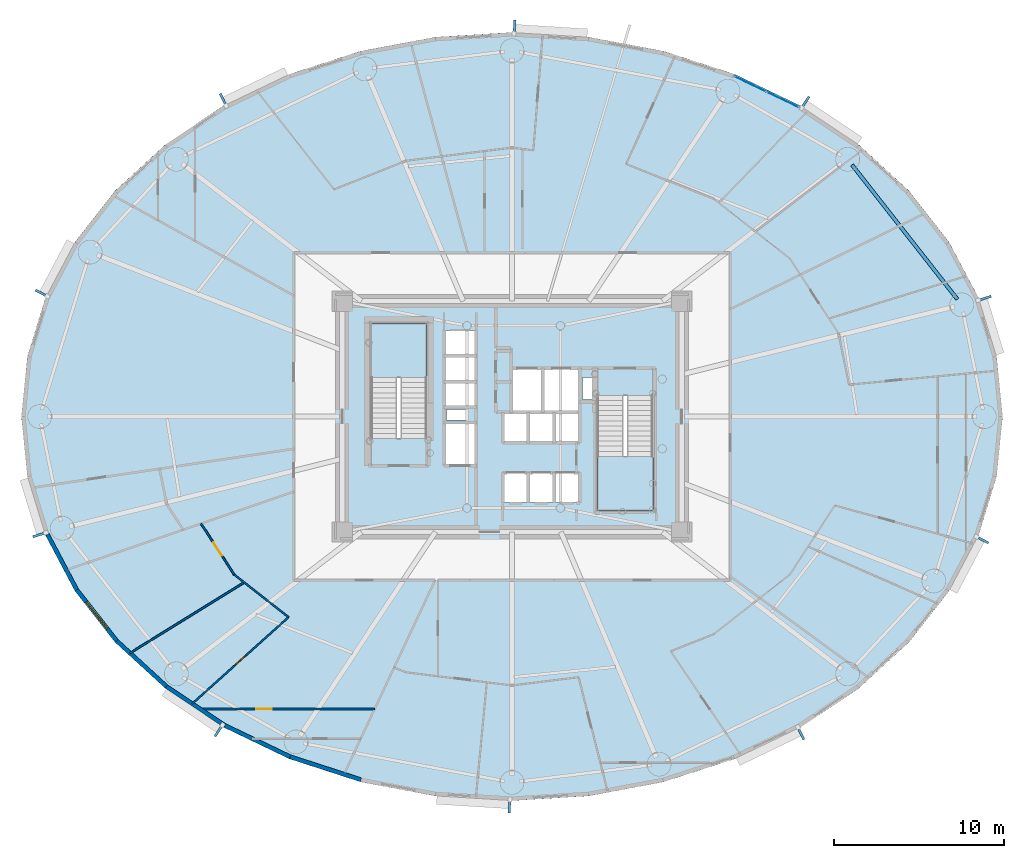
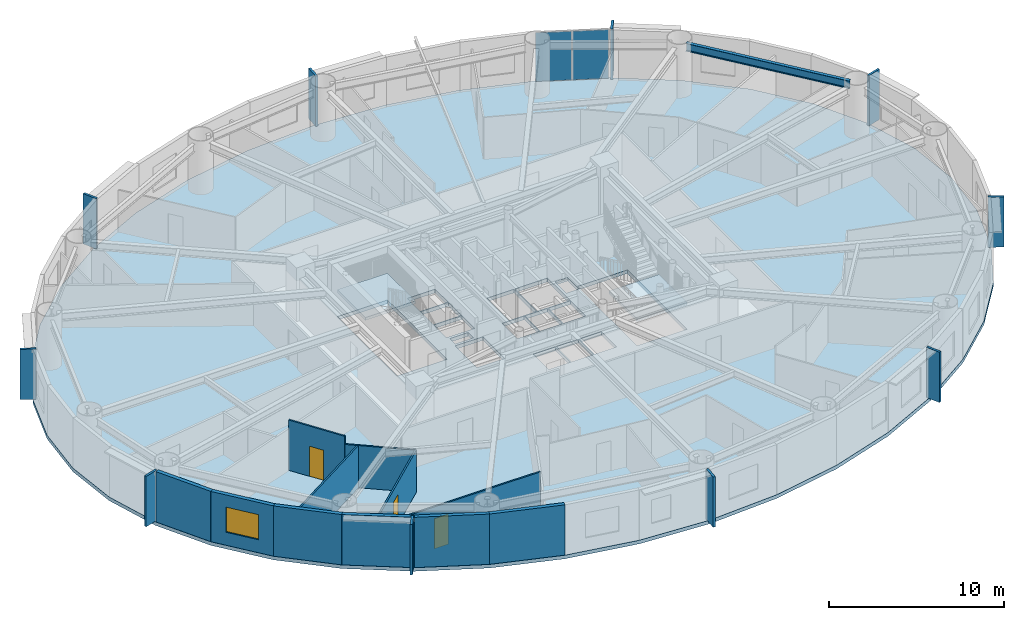
# One storey, part 6 of 16: 12 plates, 11 walls, 3 doors, 3 slabs, 1 beam, 1 window, 4 openings, 3 elements without a shape of their own.
"""IFC4 building model written with IfcOpenShell, lengths in metres."""

import ifcopenshell
import ifcopenshell.guid

model = None  # the IFC model being written
_history = None  # IfcOwnerHistory: only IFC2X3 demands one
_inside = {}  # id of a spatial element -> (the spatial element, [elements in it])
_under = {}  # id of a project, library or spatial element -> (it, [spatial elements below it])
_declared = {}  # id of a project -> (the project, [libraries it declares])
_typed = {}  # id of a type object -> (the type object, [elements of that type])
_made_of = {}  # id of a material, layer set ... -> (it, [elements and type objects made of it])


def new_model(schema):
    """Start an empty IFC model of exactly this schema.

    Asked for "IFC4X3", IfcOpenShell would pick the latest addendum, in which some entities
    have other attributes; the version numbers below select the first issue.
    IFC2X3 requires an IfcOwnerHistory on every rooted entity: one is made here for all.
    """
    global model, _history
    if schema == "IFC4X3":
        model = ifcopenshell.file(schema_version=(4, 3, 0, 0))
    else:
        model = ifcopenshell.file(schema=schema)
    _inside.clear()
    _under.clear()
    _declared.clear()
    _typed.clear()
    _made_of.clear()
    _history = None
    if model.schema == "IFC2X3":
        org = make("IfcOrganization", Name="unknown")
        user = make(
            "IfcPersonAndOrganization",
            ThePerson=make("IfcPerson", FamilyName="unknown"),
            TheOrganization=org,
        )
        app = make(
            "IfcApplication",
            ApplicationDeveloper=org,
            Version="unknown",
            ApplicationFullName="unknown",
            ApplicationIdentifier="unknown",
        )
        _history = make(
            "IfcOwnerHistory",
            OwningUser=user,
            OwningApplication=app,
            ChangeAction="ADDED",
            CreationDate=0,
        )
    return model


def make(cls, **values):
    """One entity of the class cls with the attributes given. An attribute that is None is left unset."""
    return model.create_entity(
        cls, **{name: value for name, value in values.items() if value is not None}
    )


def rooted(cls, **values):
    """An entity with a GlobalId (a new one), such as an element, a storey or a relation."""
    return make(cls, GlobalId=ifcopenshell.guid.new(), OwnerHistory=_history, **values)


def si_unit(unit_type, name, prefix=None):
    """IfcSIUnit, for example si_unit("LENGTHUNIT", "METRE", prefix="MILLI")."""
    return make("IfcSIUnit", UnitType=unit_type, Prefix=prefix, Name=name)


def assignment(units):
    """IfcUnitAssignment: the units of a project."""
    return None if units is None else make("IfcUnitAssignment", Units=units)


def point(xyz):
    """IfcCartesianPoint."""
    return None if xyz is None else make("IfcCartesianPoint", Coordinates=xyz)


def direction(xyz):
    """IfcDirection."""
    return None if xyz is None else make("IfcDirection", DirectionRatios=xyz)


def frame(location, z_axis=None, x_axis=None):
    """IfcAxis2Placement3D, a coordinate frame: its origin and axes. An axis left out is left unset."""
    return make(
        "IfcAxis2Placement3D",
        Location=point(location),
        Axis=direction(z_axis),
        RefDirection=direction(x_axis),
    )


def frame_2d(location, x_axis=None):
    """IfcAxis2Placement2D, a coordinate frame in the plane: its origin and x axis."""
    return make(
        "IfcAxis2Placement2D", Location=point(location), RefDirection=direction(x_axis)
    )


def origin():
    """The frame at (0, 0, 0) with its axes left unset."""
    return frame((0.0, 0.0, 0.0))


def origin_2d():
    """The frame at (0, 0) in the plane with its x axis left unset."""
    return frame_2d((0.0, 0.0))


def place(relative_to, where):
    """IfcLocalPlacement: puts the frame where relative to a parent placement (None: the world)."""
    return make(
        "IfcLocalPlacement", PlacementRelTo=relative_to, RelativePlacement=where
    )


def context(
    kind, dimensions, precision=None, world=None, true_north=None, identifier=None
):
    """IfcGeometricRepresentationContext, for example the 3D "Model" context."""
    return make(
        "IfcGeometricRepresentationContext",
        ContextIdentifier=identifier,
        ContextType=kind,
        CoordinateSpaceDimension=dimensions,
        Precision=precision,
        WorldCoordinateSystem=world,
        TrueNorth=true_north,
    )


def subcontext(parent, identifier, kind, view, scale=None):
    """IfcGeometricRepresentationSubContext, for example "Body" below "Model"."""
    return make(
        "IfcGeometricRepresentationSubContext",
        ContextIdentifier=identifier,
        ContextType=kind,
        ParentContext=parent,
        TargetScale=scale,
        TargetView=view,
    )


def project(units=None, contexts=None):
    """IfcProject with its units and contexts."""
    return rooted(
        "IfcProject",
        Name="project",
        RepresentationContexts=contexts,
        UnitsInContext=assignment(units),
    )


def spatial(cls, under=None, at=None, **own):
    """A site, building, storey or space (cls), placed at a placement, below another one or the project."""
    s = rooted(cls, ObjectPlacement=at, **own)
    if under is not None:
        _under.setdefault(under.id(), (under, []))[1].append(s)
    return s


def polyline(points):
    """IfcPolyline through the points."""
    return make("IfcPolyline", Points=[point(p) for p in points])


def profile(cls, at=None, kind="AREA", **sizes):
    """A parametric profile (cls). Its sizes go by their IFC names, for example OverallWidth=200.0."""
    return make(cls, ProfileType=kind, Position=at, **sizes)


def rectangle(**sizes):
    """IfcRectangleProfileDef."""
    return profile("IfcRectangleProfileDef", **sizes)


def i_section(**sizes):
    """IfcIShapeProfileDef."""
    return profile("IfcIShapeProfileDef", **sizes)


def outline(outer, holes=None, kind="AREA"):
    """IfcArbitraryClosedProfileDef: a profile drawn as a closed curve; with holes, ...WithVoids."""
    if holes is None:
        return make("IfcArbitraryClosedProfileDef", ProfileType=kind, OuterCurve=outer)
    return make(
        "IfcArbitraryProfileDefWithVoids",
        ProfileType=kind,
        OuterCurve=outer,
        InnerCurves=holes,
    )


def extrude(swept, where, along, depth):
    """IfcExtrudedAreaSolid: the profile swept, set in the frame where, extruded along a direction by depth."""
    return make(
        "IfcExtrudedAreaSolid",
        SweptArea=swept,
        Position=where,
        ExtrudedDirection=direction(along),
        Depth=depth,
    )


def shape(context_of_items, identifier, shape_type, items):
    """IfcShapeRepresentation: the items that make up one representation, for example the "Body"."""
    return make(
        "IfcShapeRepresentation",
        ContextOfItems=context_of_items,
        RepresentationIdentifier=identifier,
        RepresentationType=shape_type,
        Items=items,
    )


def source(mapping_origin, context_of_items, identifier, shape_type, items):
    """IfcRepresentationMap: a shape defined once, which mapped items show again and again."""
    return make(
        "IfcRepresentationMap",
        MappingOrigin=mapping_origin,
        MappedRepresentation=shape(context_of_items, identifier, shape_type, items),
    )


def transform(
    local_origin,
    x_axis=None,
    y_axis=None,
    z_axis=None,
    scale=None,
    scale2=None,
    scale3=None,
    uniform=True,
):
    """IfcCartesianTransformationOperator3D, or its non-uniform kind. x_axis, y_axis, z_axis: its Axis1, 2, 3."""
    if uniform:
        return make(
            "IfcCartesianTransformationOperator3D",
            Axis1=direction(x_axis),
            Axis2=direction(y_axis),
            LocalOrigin=point(local_origin),
            Scale=scale,
            Axis3=direction(z_axis),
        )
    return make(
        "IfcCartesianTransformationOperator3DnonUniform",
        Axis1=direction(x_axis),
        Axis2=direction(y_axis),
        LocalOrigin=point(local_origin),
        Scale=scale,
        Axis3=direction(z_axis),
        Scale2=scale2,
        Scale3=scale3,
    )


def mapped(mapping_source, mapping_target):
    """IfcMappedItem: shows the shape of a source again, moved by a transform."""
    return make(
        "IfcMappedItem", MappingSource=mapping_source, MappingTarget=mapping_target
    )


def material(Name=None, Category=None):
    """IfcMaterial."""
    return make("IfcMaterial", Name=Name, Category=Category)


def layer(
    of_material, thickness, ventilated=None, Name=None, Category=None, Priority=None
):
    """IfcMaterialLayer: one layer of a wall or slab, of a material (None: an air gap)."""
    return make(
        "IfcMaterialLayer",
        Material=of_material,
        LayerThickness=thickness,
        IsVentilated=ventilated,
        Name=Name,
        Category=Category,
        Priority=Priority,
    )


def layer_set(layers, Name=None):
    """IfcMaterialLayerSet."""
    return make("IfcMaterialLayerSet", MaterialLayers=layers, LayerSetName=Name)


def material_profile(
    of_material, cross_section, Name=None, Category=None, Priority=None
):
    """IfcMaterialProfile: a cross section and its material."""
    return make(
        "IfcMaterialProfile",
        Name=Name,
        Material=of_material,
        Profile=cross_section,
        Priority=Priority,
        Category=Category,
    )


def profile_set(profiles, Name=None, composite=None):
    """IfcMaterialProfileSet."""
    return make(
        "IfcMaterialProfileSet",
        Name=Name,
        MaterialProfiles=profiles,
        CompositeProfile=composite,
    )


def made_of(thing, what):
    """Note that an element or type object is made of a material, layer set ...; save() writes the relation."""
    if what is not None:
        _made_of.setdefault(what.id(), (what, []))[1].append(thing)
    return thing


def type_object(cls, material=None, **own):
    """A type object (cls), such as IfcWallType, which elements share."""
    return made_of(rooted(cls, **own), material)


def element(
    cls,
    number,
    at=None,
    inside=None,
    cuts=None,
    type_object=None,
    material=None,
    context=None,
    identifier="Body",
    shape_type=None,
    held_by="IfcProductDefinitionShape",
    body=None,
    shapes=None,
    **own,
):
    """One element of the class cls, such as IfcWall. Its Tag is "e" and its number.

    at: its placement. inside: the storey or other place that contains it. cuts: it is an
    opening in that element (IfcRelVoidsElement). A single representation is given by context,
    identifier, shape_type and body (its items); several are given by shapes. held_by: the class
    of the entity that holds the representations. save() writes the other relations.
    """
    e = rooted(cls, Tag="e%d" % number, ObjectPlacement=at, **own)
    if body is not None:
        shapes = [shape(context, identifier, shape_type, body)]
    if shapes is not None:
        e.Representation = make(held_by, Representations=shapes)
    if inside is not None:
        _inside.setdefault(inside.id(), (inside, []))[1].append(e)
    if cuts is not None:
        rooted(
            "IfcRelVoidsElement", RelatingBuildingElement=cuts, RelatedOpeningElement=e
        )
    if type_object is not None:
        _typed.setdefault(type_object.id(), (type_object, []))[1].append(e)
    return made_of(e, material)


def fill(opening, filler):
    """IfcRelFillsElement: the door or window that sits in an opening."""
    return rooted(
        "IfcRelFillsElement",
        RelatingOpeningElement=opening,
        RelatedBuildingElement=filler,
    )


def aggregate(whole, parts):
    """IfcRelAggregates: a whole, such as a stair, and the parts it consists of."""
    return rooted("IfcRelAggregates", RelatingObject=whole, RelatedObjects=parts)


def save(model, path):
    """Write the relations noted so far, then the file.

    IfcRelAggregates (storeys below a building ...), IfcRelContainedInSpatialStructure (elements
    in a storey), IfcRelDefinesByType, IfcRelAssociatesMaterial and IfcRelDeclares: one each for
    every whole, place, type object, material and project.
    """
    for whole, parts in _under.values():
        aggregate(whole, parts)
    for where, things in _inside.values():
        rooted(
            "IfcRelContainedInSpatialStructure",
            RelatedElements=things,
            RelatingStructure=where,
        )
    for kind, things in _typed.values():
        rooted("IfcRelDefinesByType", RelatedObjects=things, RelatingType=kind)
    for what, things in _made_of.values():
        rooted("IfcRelAssociatesMaterial", RelatedObjects=things, RelatingMaterial=what)
    for by, libraries in _declared.values():
        rooted("IfcRelDeclares", RelatingContext=by, RelatedDefinitions=libraries)
    model.write(path)


model = new_model("IFC4")

# Units and contexts
model_context = context("Model", 3, precision=1e-05, world=origin(), true_north=direction((0.0, 1.0)))
body_context = subcontext(model_context, "Body", "Model", "MODEL_VIEW")
ifc_project = project(units=[si_unit("LENGTHUNIT", "METRE"), si_unit("AREAUNIT", "SQUARE_METRE"), si_unit("VOLUMEUNIT", "CUBIC_METRE"), si_unit("PLANEANGLEUNIT", "RADIAN"), si_unit("MASSUNIT", "GRAM", prefix="KILO")], contexts=[model_context])

# Site, building, storey
site_placement = place(None, origin())
site = spatial("IfcSite", under=ifc_project, at=site_placement, CompositionType="ELEMENT")
building_placement = place(site_placement, origin())
building = spatial("IfcBuilding", under=site, at=building_placement, Name="Linh Dai School and Residence Tower", CompositionType="ELEMENT")
storey_placement = place(building_placement, frame((0.0, 0.0, 138.449951171875)))
storey = spatial("IfcBuildingStorey", under=building, at=storey_placement, Name="L33", CompositionType="ELEMENT", Elevation=138.449951171875)

# Beam
ifc_material_1 = material(Name="Structural Steel S355JR", Category="steel")
ifc_material_profile = material_profile(ifc_material_1, i_section(OverallWidth=0.2099609375, OverallDepth=0.550048828125, WebThickness=0.010986328125, FlangeThickness=0.01708984375, FilletRadius=0.02392578125, at=origin_2d()), Name="IPE 550")
ifc_profile_set = profile_set([ifc_material_profile], Name="Structural Steel S355JR")
beam_type = type_object("IfcBeamType", Name="BM-RB55", PredefinedType="BEAM", material=ifc_profile_set)
beam_placement = place(storey_placement, frame((62.233642578125, 33.91162109375, 3.22509765625), z_axis=(-0.616854830973, 0.787076945098, 0.0), x_axis=(-0.787076945098, -0.616854830973, 0.0)))
element("IfcBeam", 1, at=beam_placement, inside=storey, type_object=beam_type, Name="L33 Perimeter Elliptical Ring Beam 02", PredefinedType="BEAM", context=body_context, shape_type="SweptSolid", body=[
    extrude(i_section(OverallWidth=0.2099609375, OverallDepth=0.550048828125, WebThickness=0.010986328125, FlangeThickness=0.01708984375, FilletRadius=0.02392578125, at=origin_2d()), origin(), (0.0, 0.0, 1.0), 10.053955078125),
])

# Slab
ifc_material_2 = material(Name="Concrete B45 (C35/45)", Category="concrete")
ifc_layer_1 = layer(ifc_material_2, 0.25)
ifc_layer_set_1 = layer_set([ifc_layer_1], Name="Concrete B45 (C35/45)")
slab_type_1 = type_object("IfcSlabType", Name="SLB-FLR250", PredefinedType="FLOOR", material=ifc_layer_set_1)
slab_1_placement = place(storey_placement, frame((0.0, 0.0, -0.25)))
element("IfcSlab", 2, at=slab_1_placement, inside=storey, type_object=slab_type_1, Name="L33 Composite Structural Floor Slab", PredefinedType="FLOOR", context=body_context, shape_type="SweptSolid", body=[
    extrude(outline(polyline([(64.89990234375, 27.0), (64.544189453125, 30.5400390625), (63.485595703125, 33.9931640625), (61.75, 37.27392578125), (59.380615234375, 40.301513671875), (56.435302734375, 43.001708984375), (52.987060546875, 45.30810546875), (49.120361328125, 47.16357421875), (44.9306640625, 48.5224609375), (40.52099609375, 49.351318359375), (36.0, 49.6298828125), (31.47900390625, 49.351318359375), (27.0693359375, 48.5224609375), (22.879638671875, 47.16357421875), (19.012939453125, 45.30810546875), (15.564697265625, 43.001708984375), (12.619384765625, 40.301513671875), (10.25, 37.27392578125), (8.514404296875, 33.9931640625), (7.455810546875, 30.5400390625), (7.10009765625, 27.0), (7.455810546875, 23.4599609375), (8.514404296875, 20.0068359375), (10.25, 16.72607421875), (12.619384765625, 13.698486328125), (15.564697265625, 10.998291015625), (19.012939453125, 8.69189453125), (22.879638671875, 6.83642578125), (27.0693359375, 5.4775390625), (31.47900390625, 4.648681640625), (36.0, 4.3701171875), (40.52099609375, 4.648681640625), (44.9306640625, 5.4775390625), (49.120361328125, 6.83642578125), (52.987060546875, 8.69189453125), (56.435302734375, 10.998291015625), (59.380615234375, 13.698486328125), (61.75, 16.72607421875), (63.485595703125, 20.0068359375), (64.544189453125, 23.4599609375), (64.89990234375, 27.0)]), holes=[polyline([(30.97998046875, 25.699951171875), (30.97998046875, 32.5), (27.679931640625, 32.5), (27.679931640625, 25.699951171875), (30.97998046875, 25.699951171875)]), polyline([(41.02001953125, 28.25), (41.02001953125, 21.449951171875), (44.320068359375, 21.449951171875), (44.320068359375, 28.25), (41.02001953125, 28.25)]), polyline([(35.97998046875, 27.280029296875), (37.77001953125, 27.280029296875), (37.77001953125, 29.820068359375), (35.97998046875, 29.820068359375), (35.97998046875, 27.280029296875)]), polyline([(32.030029296875, 24.1298828125), (33.8701171875, 24.1298828125), (33.8701171875, 26.6201171875), (32.030029296875, 26.6201171875), (32.030029296875, 24.1298828125)]), polyline([(37.830078125, 27.280029296875), (39.969970703125, 27.280029296875), (39.969970703125, 29.820068359375), (37.830078125, 29.820068359375), (37.830078125, 27.280029296875)]), polyline([(35.47998046875, 21.929931640625), (36.929931640625, 21.929931640625), (36.929931640625, 23.669921875), (35.47998046875, 23.669921875), (35.47998046875, 21.929931640625)]), polyline([(36.989990234375, 21.929931640625), (38.449951171875, 21.929931640625), (38.449951171875, 23.669921875), (36.989990234375, 23.669921875), (36.989990234375, 21.929931640625)]), polyline([(38.510009765625, 21.929931640625), (39.969970703125, 21.929931640625), (39.969970703125, 23.669921875), (38.510009765625, 23.669921875), (38.510009765625, 21.929931640625)]), polyline([(32.030029296875, 27.580078125), (33.8701171875, 27.580078125), (33.8701171875, 29.030029296875), (32.030029296875, 29.030029296875), (32.030029296875, 27.580078125)]), polyline([(32.030029296875, 29.090087890625), (33.8701171875, 29.090087890625), (33.8701171875, 30.550048828125), (32.030029296875, 30.550048828125), (32.030029296875, 29.090087890625)]), polyline([(32.030029296875, 30.610107421875), (33.8701171875, 30.610107421875), (33.8701171875, 32.070068359375), (32.030029296875, 32.070068359375), (32.030029296875, 30.610107421875)]), polyline([(35.47998046875, 25.47998046875), (36.929931640625, 25.47998046875), (36.929931640625, 27.219970703125), (35.47998046875, 27.219970703125), (35.47998046875, 25.47998046875)]), polyline([(36.989990234375, 25.47998046875), (38.449951171875, 25.47998046875), (38.449951171875, 27.219970703125), (36.989990234375, 27.219970703125), (36.989990234375, 25.47998046875)]), polyline([(38.510009765625, 25.47998046875), (39.969970703125, 25.47998046875), (39.969970703125, 27.219970703125), (38.510009765625, 27.219970703125), (38.510009765625, 25.47998046875)]), polyline([(40.14990234375, 28.0), (40.14990234375, 29.300048828125), (41.0, 29.300048828125), (41.0, 28.280029296875), (40.989990234375, 28.280029296875), (40.989990234375, 28.0), (40.14990234375, 28.0)]), polyline([(32.14990234375, 26.800048828125), (33.35009765625, 26.800048828125), (33.35009765625, 27.39990234375), (32.14990234375, 27.39990234375), (32.14990234375, 26.800048828125)])]), origin(), (0.0, 0.0, 1.0), 0.25),
])

# Stair, slab
stair_type = type_object("IfcStairType", Name="ST-DOG-1550-R1442", PredefinedType="HALF_TURN_STAIR", material=ifc_material_2)
stair_1_placement = place(storey_placement, origin())
stair_1 = element("IfcStair", 3, at=stair_1_placement, inside=storey, type_object=stair_type, Name="L33 Core Smokeproof Exit Stair ST1", PredefinedType="HALF_TURN_STAIR")
ifc_layer_2 = layer(ifc_material_2, 0.199951171875)
ifc_layer_set_2 = layer_set([ifc_layer_2], Name="Concrete B45 (C35/45)")
slab_type_2 = type_object("IfcSlabType", Name="SLB-ST-LANDING-200", PredefinedType="LANDING", material=ifc_layer_set_2)
slab_2_placement = place(storey_placement, frame((0.0, 0.0, 1.675048828125)))
slab_2 = element("IfcSlab", 4, at=slab_2_placement, type_object=slab_type_2, Name="ST1 landing 1", PredefinedType="LANDING", context=body_context, shape_type="SweptSolid", body=[
    extrude(outline(polyline([(30.97998046875, 29.300048828125), (30.97998046875, 32.5), (27.679931640625, 32.5), (27.679931640625, 29.300048828125), (30.97998046875, 29.300048828125)])), origin(), (0.0, 0.0, 1.0), 0.199951171875),
])
aggregate(stair_1, [slab_2])

stair_2_placement = place(storey_placement, origin())
stair_2 = element("IfcStair", 5, at=stair_2_placement, inside=storey, type_object=stair_type, Name="L33 Core Smokeproof Exit Stair ST2", PredefinedType="HALF_TURN_STAIR")
slab_3_placement = place(storey_placement, frame((0.0, 0.0, 1.675048828125)))
slab_3 = element("IfcSlab", 6, at=slab_3_placement, type_object=slab_type_2, Name="ST2 landing 1", PredefinedType="LANDING", context=body_context, shape_type="SweptSolid", body=[
    extrude(outline(polyline([(41.02001953125, 24.64990234375), (41.02001953125, 21.449951171875), (44.320068359375, 21.449951171875), (44.320068359375, 24.64990234375), (41.02001953125, 24.64990234375)])), origin(), (0.0, 0.0, 1.0), 0.199951171875),
])
aggregate(stair_2, [slab_3])

# Plates
ifc_material_3 = material(Name="Precast Concrete B45 (C35/45)", Category="concrete")
ifc_layer_3 = layer(ifc_material_3, 0.139892578125)
ifc_layer_set_3 = layer_set([ifc_layer_3], Name="Precast Concrete B45 (C35/45)")
plate_type_1 = type_object("IfcPlateType", Name="FIN-TC-900x140", PredefinedType="USERDEFINED", material=ifc_layer_set_3)
shared_shape_1 = source(origin(), body_context, "Body", "SweptSolid", [
    extrude(rectangle(XDim=0.89990234375, YDim=0.139892578125, at=origin_2d()), origin(), (0.0, 0.0, 1.0), 3.5),
])
for number, where, z_axis, x_axis, name in (
    (7, (63.79736328125, 33.95068359375, 0.0), (0.0, 0.0, 1.0), (0.956071511028, 0.293133528962, 0.0), "L33 Precast Terracotta Radial Fin 02"),
    (8, (53.2529296875, 45.473388671875, 0.0), (0.0, 0.0, 1.0), (0.555913198527, 0.831240347736, 0.0), "L33 Precast Terracotta Radial Fin 06"),
    (9, (36.14501953125, 49.90673828125, 0.0), (0.0, 0.0, 1.0), (0.061509255091, 0.998106513123, 0.0), "L33 Precast Terracotta Radial Fin 10"),
    (10, (19.005615234375, 45.620849609375, 0.0), (0.0, 0.0, 1.0), (-0.432617589064, 0.901577518371, 0.0), "L33 Precast Terracotta Radial Fin 14"),
    (11, (8.32373046875, 34.242919921875, 0.0), (0.0, 0.0, 1.0), (-0.883942180016, 0.467596217252, 0.0), "L33 Precast Terracotta Radial Fin 18"),
    (12, (8.20263671875, 20.04931640625, 0.0), (0.0, 0.0, 1.0), (-0.956071511028, -0.293133528962, 0.0), "L33 Precast Terracotta Radial Fin 22"),
    (13, (18.7470703125, 8.526611328125, 0.0), (0.0, 0.0, 1.0), (-0.555913198527, -0.831240347736, 0.0), "L33 Precast Terracotta Radial Fin 26"),
    (14, (35.85498046875, 4.09326171875, 0.0), (0.0, 0.0, 1.0), (-0.061509255091, -0.998106513123, 0.0), "L33 Precast Terracotta Radial Fin 30"),
    (15, (52.994384765625, 8.379150390625, 0.0), (0.0, 0.0, 1.0), (0.432617589064, -0.901577518371, 0.0), "L33 Precast Terracotta Radial Fin 34"),
    (16, (63.67626953125, 19.757080078125, 0.0), (0.0, 0.0, 1.0), (0.883942180016, -0.467596217252, 0.0), "L33 Precast Terracotta Radial Fin 38"),
):
    element("IfcPlate", number, at=place(storey_placement, frame(where, z_axis=z_axis, x_axis=x_axis)), inside=storey, type_object=plate_type_1, Name=name, ObjectType="RADIAL FIN", PredefinedType="USERDEFINED", context=body_context, shape_type="MappedRepresentation", body=[
        mapped(shared_shape_1, transform((0.0, 0.0, 0.0), x_axis=(1.0, 0.0, 0.0), y_axis=(0.0, 1.0, 0.0), z_axis=(0.0, 0.0, 1.0), scale=1.0)),
    ])

# Curtain wall, plates
ifc_material_4 = material(Name="Aluminium Anodised Curtain Wall", Category="aluminium")
ifc_layer_4 = layer(ifc_material_4, 0.14990234375)
ifc_layer_set_4 = layer_set([ifc_layer_4], Name="Aluminium Anodised Curtain Wall")
curtain_wall_type = type_object("IfcCurtainWallType", Name="CW-SYS-4", PredefinedType="USERDEFINED", material=ifc_layer_set_4)
curtain_wall_placement = place(storey_placement, origin())
curtain_wall = element("IfcCurtainWall", 17, at=curtain_wall_placement, inside=storey, type_object=curtain_wall_type, Name="L33 CW4 Curtain Wall 07", ObjectType="RIBBON CURTAIN WALL", PredefinedType="USERDEFINED")
ifc_material_5 = material(Name="Double Low-E Insulated Glazing", Category="glass")
ifc_layer_5 = layer(ifc_material_5, 0.02587890625)
ifc_layer_set_5 = layer_set([ifc_layer_5], Name="Double Low-E Insulated Glazing")
plate_type_2 = type_object("IfcPlateType", Name="CW-SYS-4-PAN", PredefinedType="CURTAIN_PANEL", material=ifc_layer_set_5)
shared_shape_2 = source(origin(), body_context, "Body", "SweptSolid", [
    extrude(rectangle(XDim=2.057861328125, YDim=0.02587890625, at=origin_2d()), origin(), (0.0, 0.0, 1.0), 3.39599609375),
])
plate_1_placement = place(storey_placement, frame((50.048583984375, 46.579833984375, 0.052001953125), z_axis=(0.0, 0.0, 1.0), x_axis=(0.901577518371, -0.432617589064, 0.0)))
plate_1 = element("IfcPlate", 18, at=plate_1_placement, type_object=plate_type_2, Name="CW4 panel 1.1", PredefinedType="CURTAIN_PANEL", context=body_context, shape_type="MappedRepresentation", body=[
    mapped(shared_shape_2, transform((0.0, 0.0, 0.0), x_axis=(1.0, 0.0, 0.0), y_axis=(0.0, 1.0, 0.0), z_axis=(0.0, 0.0, 1.0), scale=1.0)),
])
plate_2_placement = place(storey_placement, frame((51.95068359375, 45.6669921875, 0.052001953125), z_axis=(0.0, 0.0, 1.0), x_axis=(0.901577518371, -0.432617589064, 0.0)))
plate_2 = element("IfcPlate", 19, at=plate_2_placement, type_object=plate_type_2, Name="CW4 panel 2.1", PredefinedType="CURTAIN_PANEL", context=body_context, shape_type="MappedRepresentation", body=[
    mapped(shared_shape_2, transform((0.0, 0.0, 0.0), x_axis=(1.0, 0.0, 0.0), y_axis=(0.0, 1.0, 0.0), z_axis=(0.0, 0.0, 1.0), scale=1.0)),
])
aggregate(curtain_wall, [plate_1, plate_2])

# Wall
ifc_layer_6 = layer(ifc_material_3, 0.239990234375)
ifc_layer_set_6 = layer_set([ifc_layer_6], Name="Precast Concrete B45 (C35/45)")
wall_type_1 = type_object("IfcWallType", Name="EW-TC-240", PredefinedType="SOLIDWALL", material=ifc_layer_set_6)
wall_1_placement = place(storey_placement, frame((10.354736328125, 16.79443359375, 0.0), z_axis=(0.0, 0.0, 1.0), x_axis=(-0.467614004126, 0.883932770716, 0.0)))
element("IfcWall", 20, at=wall_1_placement, inside=storey, type_object=wall_type_1, Name="L33 Terracotta Exterior Wall 23", PredefinedType="SOLIDWALL", context=body_context, shape_type="SweptSolid", body=[
    extrude(rectangle(XDim=3.688720703125, YDim=0.239990234375, at=frame_2d((1.84423828125, 0.0))), origin(), (0.0, 0.0, 1.0), 3.5),
])

# Wall, opening, window
wall_2_placement = place(storey_placement, frame((12.7109375, 13.783447265625, 0.0), z_axis=(0.0, 0.0, 1.0), x_axis=(-0.616272103517, 0.787533297345, 0.0)))
wall_2 = element("IfcWall", 21, at=wall_2_placement, inside=storey, type_object=wall_type_1, Name="L33 Terracotta Exterior Wall 24", PredefinedType="SOLIDWALL", context=body_context, shape_type="SweptSolid", body=[
    extrude(rectangle(XDim=3.8232421875, YDim=0.239990234375, at=frame_2d((1.91162109375, 0.0))), origin(), (0.0, 0.0, 1.0), 3.5),
])
opening_1_placement = place(wall_2_placement, frame((0.91162109375, 0.0, 0.89990234375)))
opening_1 = element("IfcOpeningElement", 22, at=opening_1_placement, cuts=wall_2, Name="Opening W1", PredefinedType="OPENING", context=body_context, shape_type="SweptSolid", body=[
    extrude(rectangle(XDim=2.0, YDim=1.75, at=origin_2d()), frame((1.0, 0.1298828125, 0.875), z_axis=(0.0, -1.0, 0.0), x_axis=(1.0, 0.0, 0.0)), (0.0, 0.0, 1.0), 0.260009765625),
])
window_type = type_object("IfcWindowType", Name="WN-RES-2000x1750", PartitioningType="DOUBLE_PANEL_VERTICAL", PredefinedType="WINDOW", material=ifc_material_5)
shared_shape_3 = source(origin(), body_context, "Body", "SweptSolid", [
    extrude(rectangle(XDim=2.0, YDim=1.75, at=origin_2d()), frame((1.0, 0.030029296875, 0.875), z_axis=(0.0, -1.0, 0.0), x_axis=(1.0, 0.0, 0.0)), (0.0, 0.0, 1.0), 0.06005859375),
])
window_placement = place(opening_1_placement, origin())
window = element("IfcWindow", 23, at=window_placement, inside=storey, type_object=window_type, Name="L33 Exterior Window 24.1", OverallHeight=1.75, OverallWidth=2.0, PartitioningType="DOUBLE_PANEL_VERTICAL", PredefinedType="WINDOW", context=body_context, shape_type="MappedRepresentation", body=[
    mapped(shared_shape_3, transform((0.0, 0.0, 0.0), x_axis=(1.0, 0.0, 0.0), y_axis=(0.0, 1.0, 0.0), z_axis=(0.0, 0.0, 1.0), scale=1.0)),
])
fill(opening_1, window)

# Walls
wall_3_placement = place(storey_placement, frame((15.6416015625, 11.0966796875, 0.0), z_axis=(0.0, 0.0, 1.0), x_axis=(-0.737113356241, 0.675769117414, 0.0)))
element("IfcWall", 24, at=wall_3_placement, inside=storey, type_object=wall_type_1, Name="L33 Terracotta Exterior Wall 25", PredefinedType="SOLIDWALL", context=body_context, shape_type="SweptSolid", body=[
    extrude(rectangle(XDim=3.975830078125, YDim=0.239990234375, at=frame_2d((1.98779296875, 0.0))), origin(), (0.0, 0.0, 1.0), 3.5),
])
wall_4_placement = place(storey_placement, frame((19.07470703125, 8.800537109375, 0.0), z_axis=(0.0, 0.0, 1.0), x_axis=(-0.831221811447, 0.555940914284, 0.0)))
element("IfcWall", 25, at=wall_4_placement, inside=storey, type_object=wall_type_1, Name="L33 Terracotta Exterior Wall 26", PredefinedType="SOLIDWALL", context=body_context, shape_type="SweptSolid", body=[
    extrude(rectangle(XDim=4.130126953125, YDim=0.239990234375, at=frame_2d((2.06494140625, 0.0))), origin(), (0.0, 0.0, 1.0), 3.5),
])
wall_5_placement = place(storey_placement, frame((22.926025390625, 6.95263671875, 0.0), z_axis=(0.0, 0.0, 1.0), x_axis=(-0.901589935876, 0.432591709962, 0.0)))
element("IfcWall", 26, at=wall_5_placement, inside=storey, type_object=wall_type_1, Name="L33 Terracotta Exterior Wall 27", PredefinedType="SOLIDWALL", context=body_context, shape_type="SweptSolid", body=[
    extrude(rectangle(XDim=4.271728515625, YDim=0.239990234375, at=frame_2d((2.1357421875, 0.0))), origin(), (0.0, 0.0, 1.0), 3.5),
])
wall_6_placement = place(storey_placement, frame((27.100341796875, 5.5986328125, 0.0), z_axis=(0.0, 0.0, 1.0), x_axis=(-0.951211346073, 0.308540070495, 0.0)))
element("IfcWall", 27, at=wall_6_placement, inside=storey, type_object=wall_type_1, Name="L33 Terracotta Exterior Wall 28", PredefinedType="SOLIDWALL", context=body_context, shape_type="SweptSolid", body=[
    extrude(rectangle(XDim=4.388427734375, YDim=0.239990234375, at=frame_2d((2.1943359375, 0.0))), origin(), (0.0, 0.0, 1.0), 3.5),
])
ifc_material_6 = material(Name="Gypsum Plasterboard Acoustic Stud Partition", Category="masonry")
ifc_layer_7 = layer(ifc_material_6, 0.10009765625)
ifc_layer_set_7 = layer_set([ifc_layer_7], Name="Gypsum Plasterboard Acoustic Stud Partition")
wall_type_2 = type_object("IfcWallType", Name="IW-UNIT-100", PredefinedType="PARTITIONING", material=ifc_layer_set_7)
wall_7_placement = place(storey_placement, frame((13.493896484375, 13.058837890625, 0.0), z_axis=(0.0, 0.0, 1.0), x_axis=(0.850110644983, 0.526604112486, 0.0)))
element("IfcWall", 28, at=wall_7_placement, inside=storey, type_object=wall_type_2, Name="L33 Interior Partition Wall 004", PredefinedType="PARTITIONING", context=body_context, shape_type="SweptSolid", body=[
    extrude(rectangle(XDim=7.915771484375, YDim=0.10009765625, at=frame_2d((3.9580078125, 0.0))), origin(), (0.0, 0.0, 1.0), 2.93505859375),
])

# Wall, opening, door
wall_8_placement = place(storey_placement, frame((17.1552734375, 10.078369140625, 0.0), z_axis=(0.0, 0.0, 1.0), x_axis=(0.744051955022, 0.668121761528, 0.0)))
wall_8 = element("IfcWall", 29, at=wall_8_placement, inside=storey, type_object=wall_type_2, Name="L33 Interior Partition Wall 008", PredefinedType="PARTITIONING", context=body_context, shape_type="SweptSolid", body=[
    extrude(rectangle(XDim=7.636474609375, YDim=0.10009765625, at=frame_2d((3.818359375, 0.0))), origin(), (0.0, 0.0, 1.0), 2.93505859375),
])
opening_2_placement = place(wall_8_placement, frame((3.3681640625, 0.0, 0.0)))
opening_2 = element("IfcOpeningElement", 30, at=opening_2_placement, cuts=wall_8, Name="Opening D05", PredefinedType="OPENING", context=body_context, shape_type="SweptSolid", body=[
    extrude(rectangle(XDim=0.89990234375, YDim=2.10009765625, at=origin_2d()), frame((0.449951171875, 0.06005859375, 1.050048828125), z_axis=(0.0, -1.0, 0.0), x_axis=(1.0, 0.0, 0.0)), (0.0, 0.0, 1.0), 0.1201171875),
])
ifc_material_7 = material(Name="Engineered Timber Internal Door", Category="wood")
door_type = type_object("IfcDoorType", Name="DR-INT-900x2100", OperationType="NOTDEFINED", PredefinedType="DOOR", material=ifc_material_7)
shared_shape_4 = source(origin(), body_context, "Body", "SweptSolid", [
    extrude(rectangle(XDim=0.89990234375, YDim=2.10009765625, at=origin_2d()), frame((0.449951171875, 0.02490234375, 1.050048828125), z_axis=(0.0, -1.0, 0.0), x_axis=(1.0, 0.0, 0.0)), (0.0, 0.0, 1.0), 0.050048828125),
])
door_1_placement = place(opening_2_placement, origin())
door_1 = element("IfcDoor", 31, at=door_1_placement, inside=storey, type_object=door_type, Name="L33 Apartment U3301 Study Door", OperationType="SINGLE_SWING_LEFT", OverallHeight=2.10009765625, OverallWidth=0.89990234375, PredefinedType="DOOR", context=body_context, shape_type="MappedRepresentation", body=[
    mapped(shared_shape_4, transform((0.0, 0.0, 0.0), x_axis=(1.0, 0.0, 0.0), y_axis=(0.0, 1.0, 0.0), z_axis=(0.0, 0.0, 1.0), scale=1.0)),
])
fill(opening_2, door_1)

wall_9_placement = place(storey_placement, frame((17.619873046875, 9.767578125, 0.0), z_axis=(0.0, 0.0, 1.0), x_axis=(1.0, 0.0, 0.0)))
wall_9 = element("IfcWall", 32, at=wall_9_placement, inside=storey, type_object=wall_type_2, Name="L33 Interior Partition Wall 010", PredefinedType="PARTITIONING", context=body_context, shape_type="SweptSolid", body=[
    extrude(rectangle(XDim=10.28759765625, YDim=0.10009765625, at=frame_2d((5.143798828125, 0.0))), origin(), (0.0, 0.0, 1.0), 2.93505859375),
])
opening_3_placement = place(wall_9_placement, frame((3.321533203125, 0.0, 0.0)))
opening_3 = element("IfcOpeningElement", 33, at=opening_3_placement, cuts=wall_9, Name="Opening D05", PredefinedType="OPENING", context=body_context, shape_type="SweptSolid", body=[
    extrude(rectangle(XDim=0.89990234375, YDim=2.10009765625, at=origin_2d()), frame((0.449951171875, 0.06005859375, 1.050048828125), z_axis=(0.0, -1.0, 0.0), x_axis=(1.0, 0.0, 0.0)), (0.0, 0.0, 1.0), 0.1201171875),
])
door_2_placement = place(opening_3_placement, origin())
door_2 = element("IfcDoor", 34, at=door_2_placement, inside=storey, type_object=door_type, Name="L33 Apartment U3301 Kitchen Door", OperationType="SINGLE_SWING_RIGHT", OverallHeight=2.10009765625, OverallWidth=0.89990234375, PredefinedType="DOOR", context=body_context, shape_type="MappedRepresentation", body=[
    mapped(shared_shape_4, transform((0.0, 0.0, 0.0), x_axis=(1.0, 0.0, 0.0), y_axis=(0.0, 1.0, 0.0), z_axis=(0.0, 0.0, 1.0), scale=1.0)),
])
fill(opening_3, door_2)

wall_10_placement = place(storey_placement, frame((17.6796875, 20.69189453125, 0.0), z_axis=(0.0, 0.0, 1.0), x_axis=(0.545371539428, -0.838194418964, 0.0)))
wall_10 = element("IfcWall", 35, at=wall_10_placement, inside=storey, type_object=wall_type_2, Name="L33 Interior Partition Wall 011", PredefinedType="PARTITIONING", context=body_context, shape_type="SweptSolid", body=[
    extrude(rectangle(XDim=3.58251953125, YDim=0.10009765625, at=frame_2d((1.791259765625, 0.0))), origin(), (0.0, 0.0, 1.0), 3.5),
])
opening_4_placement = place(wall_10_placement, frame((1.34130859375, 0.0, 0.0)))
opening_4 = element("IfcOpeningElement", 36, at=opening_4_placement, cuts=wall_10, Name="Opening D05", PredefinedType="OPENING", context=body_context, shape_type="SweptSolid", body=[
    extrude(rectangle(XDim=0.89990234375, YDim=2.10009765625, at=origin_2d()), frame((0.449951171875, 0.06005859375, 1.050048828125), z_axis=(0.0, -1.0, 0.0), x_axis=(1.0, 0.0, 0.0)), (0.0, 0.0, 1.0), 0.1201171875),
])
door_3_placement = place(opening_4_placement, origin())
door_3 = element("IfcDoor", 37, at=door_3_placement, inside=storey, type_object=door_type, Name="L33 Apartment U3301 Principal Bedroom 1 Door", OperationType="SINGLE_SWING_RIGHT", OverallHeight=2.10009765625, OverallWidth=0.89990234375, PredefinedType="DOOR", context=body_context, shape_type="MappedRepresentation", body=[
    mapped(shared_shape_4, transform((0.0, 0.0, 0.0), x_axis=(1.0, 0.0, 0.0), y_axis=(0.0, 1.0, 0.0), z_axis=(0.0, 0.0, 1.0), scale=1.0)),
])
fill(opening_4, door_3)

# Wall
wall_11_placement = place(storey_placement, frame((19.633544921875, 17.68896484375, 0.0), z_axis=(0.0, 0.0, 1.0), x_axis=(0.787341639438, -0.616516944461, 0.0)))
element("IfcWall", 38, at=wall_11_placement, inside=storey, type_object=wall_type_2, Name="L33 Interior Partition Wall 012", PredefinedType="PARTITIONING", context=body_context, shape_type="SweptSolid", body=[
    extrude(rectangle(XDim=4.06884765625, YDim=0.10009765625, at=frame_2d((2.034423828125, 0.0))), origin(), (0.0, 0.0, 1.0), 2.93505859375),
])

save(model, "model.ifc")
